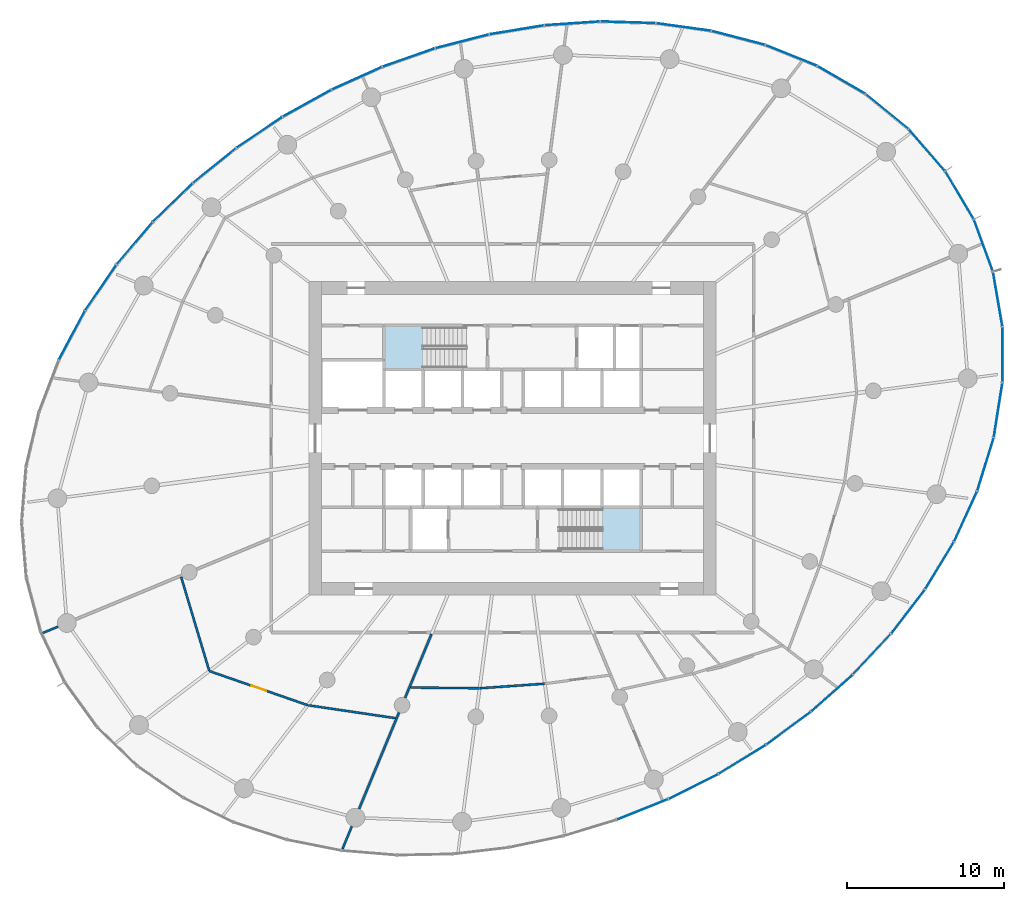
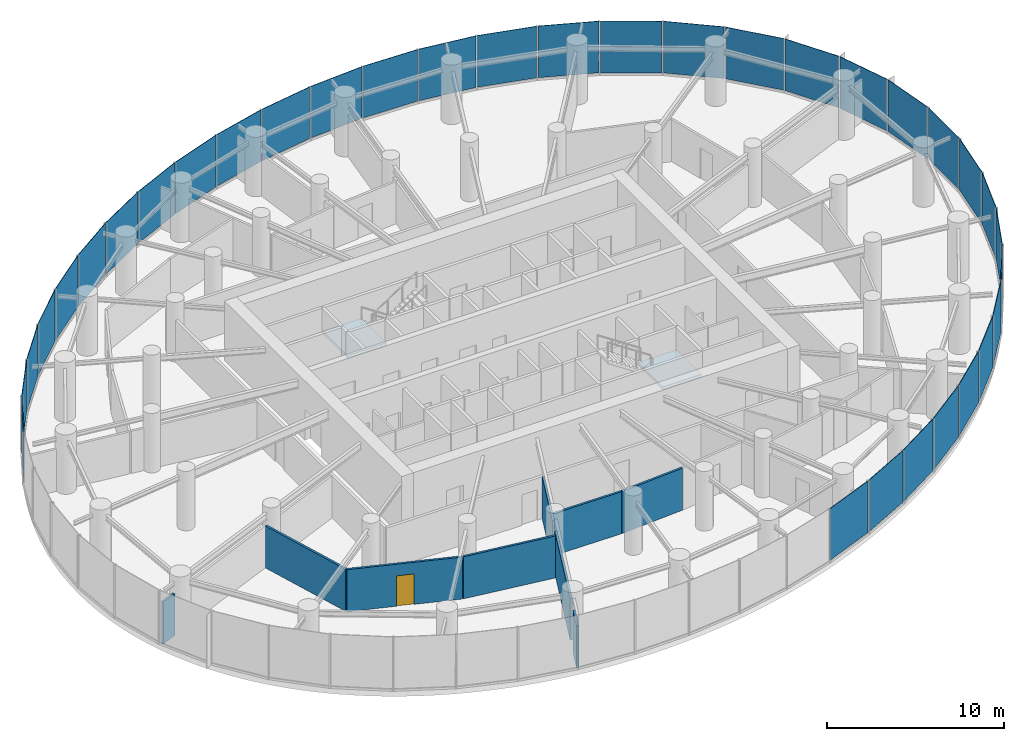
# One storey, part 9 of 17: 34 plates, 9 walls, 2 slabs, 1 door, 1 opening, 9 elements without a shape of their own.
"""IFC4 building model written with IfcOpenShell, lengths in metres."""

from ifc_helpers import new_model, si_unit, direction, frame, frame_2d, origin, origin_2d, place, context, subcontext, project, spatial, line, indexed_curve, rectangle, outline, extrude, source, transform, mapped, material, layer, layer_set, type_object, element, fill, aggregate, save


model = new_model("IFC4")

# Units and contexts
model_context = context("Model", 3, precision=1e-05, world=origin(), true_north=direction((0.0, 1.0)))
body_context = subcontext(model_context, "Body", "Model", "MODEL_VIEW")
ifc_project = project(units=[si_unit("LENGTHUNIT", "METRE"), si_unit("AREAUNIT", "SQUARE_METRE"), si_unit("VOLUMEUNIT", "CUBIC_METRE"), si_unit("PLANEANGLEUNIT", "RADIAN"), si_unit("MASSUNIT", "GRAM", prefix="KILO")], contexts=[model_context])

# Site, building, storey
site_placement = place(None, origin())
site = spatial("IfcSite", under=ifc_project, at=site_placement, CompositionType="ELEMENT")
building_placement = place(site_placement, origin())
building = spatial("IfcBuilding", under=site, at=building_placement, Name="Spindrift Exchange Tower", CompositionType="ELEMENT")
storey_placement = place(building_placement, frame((0.0, 0.0, 96.199951171875)))
storey = spatial("IfcBuildingStorey", under=building, at=storey_placement, Name="L22", CompositionType="ELEMENT", Elevation=96.199951171875)

# Stair, slab
ifc_material_1 = material(Name="Concrete 50 MPa", Category="concrete")
stair_type = type_object("IfcStairType", Name="ST-1250-R186", PredefinedType="HALF_TURN_STAIR", material=ifc_material_1)
stair_1_placement = place(storey_placement, origin())
stair_1 = element("IfcStair", 1, at=stair_1_placement, inside=storey, type_object=stair_type, Name="L22 Exit stair ST1", PredefinedType="HALF_TURN_STAIR")
ifc_layer_1 = layer(ifc_material_1, 0.199951171875)
ifc_layer_set_1 = layer_set([ifc_layer_1], Name="SL-LANDING")
slab_type = type_object("IfcSlabType", Name="SL-LANDING", PredefinedType="LANDING", material=ifc_layer_set_1)
slab_1_placement = place(storey_placement, frame((0.0, 0.0, 1.85009765625)))
slab_1 = element("IfcSlab", 2, at=slab_1_placement, type_object=slab_type, Name="ST1 landing 1", PredefinedType="LANDING", context=body_context, shape_type="SweptSolid", body=[
    extrude(outline(indexed_curve([(46.330078125, 52.39990234375), (43.800048828125, 52.39990234375), (43.800048828125, 55.199951171875), (46.330078125, 55.199951171875)], segments=[line(1, 2, 3, 4, 1)], self_intersect=False)), origin(), (0.0, 0.0, 1.0), 0.199951171875),
])
aggregate(stair_1, [slab_1])

stair_2_placement = place(storey_placement, origin())
stair_2 = element("IfcStair", 3, at=stair_2_placement, inside=storey, type_object=stair_type, Name="L22 Exit stair ST2", PredefinedType="HALF_TURN_STAIR")
slab_2_placement = place(storey_placement, frame((0.0, 0.0, 1.85009765625)))
slab_2 = element("IfcSlab", 4, at=slab_2_placement, type_object=slab_type, Name="ST2 landing 1", PredefinedType="LANDING", context=body_context, shape_type="SweptSolid", body=[
    extrude(outline(indexed_curve([(57.669921875, 43.60009765625), (60.199951171875, 43.60009765625), (60.199951171875, 40.800048828125), (57.669921875, 40.800048828125)], segments=[line(1, 2, 3, 4, 1)], self_intersect=False)), origin(), (0.0, 0.0, 1.0), 0.199951171875),
])
aggregate(stair_2, [slab_2])

# Curtain wall, plate
ifc_material_2 = material(Name="Fritted laminated glass with bronze frame", Category="glass")
ifc_layer_2 = layer(ifc_material_2, 0.18994140625)
ifc_layer_set_2 = layer_set([ifc_layer_2], Name="ZONE 2 BRONZE FRITTED WALL")
curtain_wall_type = type_object("IfcCurtainWallType", Name="ZONE 2 BRONZE FRITTED WALL", PredefinedType="NOTDEFINED", material=ifc_layer_set_2)
curtain_wall_1_placement = place(storey_placement, origin())
curtain_wall_1 = element("IfcCurtainWall", 5, at=curtain_wall_1_placement, inside=storey, type_object=curtain_wall_type, Name="L22 Zone 2 Bronze Fritted Wall run 2", PredefinedType="NOTDEFINED")
ifc_material_3 = material(Name="Bronze fritted laminated glass, close frit", Category="glass")
ifc_layer_3 = layer(ifc_material_3, 0.033935546875)
ifc_layer_set_3 = layer_set([ifc_layer_3], Name="ZONE 2 BRONZE FRITTED WALL PANEL CLOSE FRIT 420")
plate_type_1 = type_object("IfcPlateType", Name="ZONE 2 BRONZE FRITTED WALL PANEL CLOSE FRIT 420", PredefinedType="CURTAIN_PANEL", material=ifc_layer_set_3)
shared_shape_1 = source(origin(), body_context, "Body", "SweptSolid", [
    extrude(rectangle(XDim=3.491455078125, YDim=0.033935546875, at=origin_2d()), origin(), (0.0, 0.0, 1.0), 3.56005859375),
])
plate_1_placement = place(storey_placement, frame((55.810302734375, 74.48974609375, 0.14013671875), z_axis=(0.0, 0.0, 1.0), x_axis=(-0.997622139235, -0.068920732059, 0.0)))
plate_1 = element("IfcPlate", 6, at=plate_1_placement, type_object=plate_type_1, Name="L22 panel CW-2.9", PredefinedType="CURTAIN_PANEL", context=body_context, shape_type="MappedRepresentation", body=[
    mapped(shared_shape_1, transform((0.0, 0.0, 0.0), scale=1.0)),
])

curtain_wall_2_placement = place(storey_placement, origin())
curtain_wall_2 = element("IfcCurtainWall", 7, at=curtain_wall_2_placement, inside=storey, type_object=curtain_wall_type, Name="L22 Zone 2 Bronze Fritted Wall run 3", PredefinedType="NOTDEFINED")
plate_2_placement = place(storey_placement, frame((30.30712890625, 63.05322265625, 0.14013671875), z_axis=(0.0, 0.0, 1.0), x_axis=(-0.717488332978, -0.696570521943, 0.0)))
plate_2 = element("IfcPlate", 8, at=plate_2_placement, type_object=plate_type_1, Name="L22 panel CW-2.17", PredefinedType="CURTAIN_PANEL", context=body_context, shape_type="MappedRepresentation", body=[
    mapped(shared_shape_1, transform((0.0, 0.0, 0.0), scale=1.0)),
])

curtain_wall_3_placement = place(storey_placement, origin())
curtain_wall_3 = element("IfcCurtainWall", 9, at=curtain_wall_3_placement, inside=storey, type_object=curtain_wall_type, Name="L22 Zone 2 Bronze Fritted Wall run 8", PredefinedType="NOTDEFINED")
plate_3_placement = place(storey_placement, frame((74.94091796875, 34.21826171875, 0.14013671875), z_axis=(0.0, 0.0, 1.0), x_axis=(0.683667455732, 0.729793676303, 0.0)))
plate_3 = element("IfcPlate", 10, at=plate_3_placement, type_object=plate_type_1, Name="L22 panel CW-2.43", PredefinedType="CURTAIN_PANEL", context=body_context, shape_type="MappedRepresentation", body=[
    mapped(shared_shape_1, transform((0.0, 0.0, 0.0), scale=1.0)),
])

# Plate
ifc_layer_4 = layer(ifc_material_3, 0.033935546875)
ifc_layer_set_4 = layer_set([ifc_layer_4], Name="ZONE 2 BRONZE FRITTED WALL PANEL CLOSE FRIT 300")
plate_type_2 = type_object("IfcPlateType", Name="ZONE 2 BRONZE FRITTED WALL PANEL CLOSE FRIT 300", PredefinedType="CURTAIN_PANEL", material=ifc_layer_set_4)
shared_shape_2 = source(origin(), body_context, "Body", "SweptSolid", [
    extrude(rectangle(XDim=3.491455078125, YDim=0.033935546875, at=origin_2d()), origin(), (0.0, 0.0, 1.0), 3.56005859375),
])
plate_4_placement = place(storey_placement, frame((52.271484375, 74.07861328125, 0.14013671875), z_axis=(0.0, 0.0, 1.0), x_axis=(-0.98683511861, -0.161729554126, 0.0)))
plate_4 = element("IfcPlate", 11, at=plate_4_placement, type_object=plate_type_2, Name="L22 panel CW-2.10", PredefinedType="CURTAIN_PANEL", context=body_context, shape_type="MappedRepresentation", body=[
    mapped(shared_shape_2, transform((0.0, 0.0, 0.0), scale=1.0)),
])

# Curtain wall, plate
curtain_wall_4_placement = place(storey_placement, origin())
curtain_wall_4 = element("IfcCurtainWall", 12, at=curtain_wall_4_placement, inside=storey, type_object=curtain_wall_type, Name="L22 Zone 2 Bronze Fritted Wall run 7", PredefinedType="NOTDEFINED")
plate_5_placement = place(storey_placement, frame((72.386474609375, 31.73486328125, 0.14013671875), z_axis=(0.0, 0.0, 1.0), x_axis=(0.748821552583, 0.662771666857, 0.0)))
plate_5 = element("IfcPlate", 13, at=plate_5_placement, type_object=plate_type_2, Name="L22 panel CW-2.42", PredefinedType="CURTAIN_PANEL", context=body_context, shape_type="MappedRepresentation", body=[
    mapped(shared_shape_2, transform((0.0, 0.0, 0.0), scale=1.0)),
])

# Plate
shared_shape_3 = source(origin(), body_context, "Body", "SweptSolid", [
    extrude(rectangle(XDim=3.49169921875, YDim=0.033935546875, at=origin_2d()), origin(), (0.0, 0.0, 1.0), 3.56005859375),
])
plate_6_placement = place(storey_placement, frame((42.065673828125, 70.9892578125, 0.14013671875), z_axis=(0.0, 0.0, 1.0), x_axis=(-0.912093642596, -0.409981935134, 0.0)))
plate_6 = element("IfcPlate", 14, at=plate_6_placement, type_object=plate_type_1, Name="L22 panel CW-2.13", PredefinedType="CURTAIN_PANEL", context=body_context, shape_type="MappedRepresentation", body=[
    mapped(shared_shape_3, transform((0.0, 0.0, 0.0), scale=1.0)),
])

plate_7_placement = place(storey_placement, frame((38.8798828125, 69.392578125, 0.14013671875), z_axis=(0.0, 0.0, 1.0), x_axis=(-0.874329320157, -0.485333122622, 0.0)))
plate_7 = element("IfcPlate", 15, at=plate_7_placement, type_object=plate_type_1, Name="L22 panel CW-2.14", PredefinedType="CURTAIN_PANEL", context=body_context, shape_type="MappedRepresentation", body=[
    mapped(shared_shape_3, transform((0.0, 0.0, 0.0), scale=1.0)),
])

plate_8_placement = place(storey_placement, frame((35.8408203125, 67.531982421875, 0.14013671875), z_axis=(0.0, 0.0, 1.0), x_axis=(-0.829808779069, -0.558047838613, 0.0)))
plate_8 = element("IfcPlate", 16, at=plate_8_placement, type_object=plate_type_1, Name="L22 panel CW-2.15", PredefinedType="CURTAIN_PANEL", context=body_context, shape_type="MappedRepresentation", body=[
    mapped(shared_shape_3, transform((0.0, 0.0, 0.0), scale=1.0)),
])

shared_shape_4 = source(origin(), body_context, "Body", "SweptSolid", [
    extrude(rectangle(XDim=3.49169921875, YDim=0.033935546875, at=origin_2d()), origin(), (0.0, 0.0, 1.0), 3.56005859375),
])
plate_9_placement = place(storey_placement, frame((45.374755859375, 72.311279296875, 0.14013671875), z_axis=(0.0, 0.0, 1.0), x_axis=(-0.943498284151, -0.331377409917, 0.0)))
plate_9 = element("IfcPlate", 17, at=plate_9_placement, type_object=plate_type_2, Name="L22 panel CW-2.12", PredefinedType="CURTAIN_PANEL", context=body_context, shape_type="MappedRepresentation", body=[
    mapped(shared_shape_4, transform((0.0, 0.0, 0.0), scale=1.0)),
])

plate_10_placement = place(storey_placement, frame((63.544189453125, 25.775390625, 0.14013671875), z_axis=(0.0, 0.0, 1.0), x_axis=(0.894028382127, 0.448010325719, 0.0)))
plate_10 = element("IfcPlate", 18, at=plate_10_placement, type_object=plate_type_2, Name="L22 panel CW-2.39", PredefinedType="CURTAIN_PANEL", context=body_context, shape_type="MappedRepresentation", body=[
    mapped(shared_shape_4, transform((0.0, 0.0, 0.0), scale=1.0)),
])

plate_11_placement = place(storey_placement, frame((66.65966796875, 27.50537109375, 0.14013671875), z_axis=(0.0, 0.0, 1.0), x_axis=(0.852947337944, 0.52199697192, 0.0)))
plate_11 = element("IfcPlate", 19, at=plate_11_placement, type_object=plate_type_2, Name="L22 panel CW-2.40", PredefinedType="CURTAIN_PANEL", context=body_context, shape_type="MappedRepresentation", body=[
    mapped(shared_shape_4, transform((0.0, 0.0, 0.0), scale=1.0)),
])

plate_12_placement = place(storey_placement, frame((69.615966796875, 29.49462890625, 0.14013671875), z_axis=(0.0, 0.0, 1.0), x_axis=(0.804828542676, 0.593507385712, 0.0)))
plate_12 = element("IfcPlate", 20, at=plate_12_placement, type_object=plate_type_2, Name="L22 panel CW-2.41", PredefinedType="CURTAIN_PANEL", context=body_context, shape_type="MappedRepresentation", body=[
    mapped(shared_shape_4, transform((0.0, 0.0, 0.0), scale=1.0)),
])

ifc_layer_5 = layer(ifc_material_3, 0.033935546875)
ifc_layer_set_5 = layer_set([ifc_layer_5], Name="ZONE 2 BRONZE FRITTED WALL PANEL CLOSE FRIT 540")
plate_type_3 = type_object("IfcPlateType", Name="ZONE 2 BRONZE FRITTED WALL PANEL CLOSE FRIT 540", PredefinedType="CURTAIN_PANEL", material=ifc_layer_set_5)
shared_shape_5 = source(origin(), body_context, "Body", "SweptSolid", [
    extrude(rectangle(XDim=3.49169921875, YDim=0.033935546875, at=origin_2d()), origin(), (0.0, 0.0, 1.0), 3.56005859375),
])
plate_13_placement = place(storey_placement, frame((48.784423828125, 73.34619140625, 0.14013671875), z_axis=(0.0, 0.0, 1.0), x_axis=(-0.968524972511, -0.248916406896, 0.0)))
plate_13 = element("IfcPlate", 21, at=plate_13_placement, type_object=plate_type_3, Name="L22 panel CW-2.11", PredefinedType="CURTAIN_PANEL", context=body_context, shape_type="MappedRepresentation", body=[
    mapped(shared_shape_5, transform((0.0, 0.0, 0.0), scale=1.0)),
])

plate_14_placement = place(storey_placement, frame((60.293701171875, 24.314697265625, 0.14013671875), z_axis=(0.0, 0.0, 1.0), x_axis=(0.928583018933, 0.371124745805, 0.0)))
plate_14 = element("IfcPlate", 22, at=plate_14_placement, type_object=plate_type_3, Name="L22 panel CW-2.38", PredefinedType="CURTAIN_PANEL", context=body_context, shape_type="MappedRepresentation", body=[
    mapped(shared_shape_5, transform((0.0, 0.0, 0.0), scale=1.0)),
])

aggregate(curtain_wall_4, [plate_14, plate_10, plate_11, plate_12, plate_5])

# Curtain wall, plate
curtain_wall_5_placement = place(storey_placement, origin())
curtain_wall_5 = element("IfcCurtainWall", 23, at=curtain_wall_5_placement, inside=storey, type_object=curtain_wall_type, Name="L22 Zone 2 Bronze Fritted Wall run 4", PredefinedType="NOTDEFINED")
shared_shape_6 = source(origin(), body_context, "Body", "SweptSolid", [
    extrude(rectangle(XDim=3.4912109375, YDim=0.033935546875, at=origin_2d()), origin(), (0.0, 0.0, 1.0), 3.56005859375),
])
plate_15_placement = place(storey_placement, frame((25.711669921875, 57.621826171875, 0.14013671875), z_axis=(0.0, 0.0, 1.0), x_axis=(-0.565299619381, -0.824885652881, 0.0)))
plate_15 = element("IfcPlate", 24, at=plate_15_placement, type_object=plate_type_2, Name="L22 panel CW-2.19", PredefinedType="CURTAIN_PANEL", context=body_context, shape_type="MappedRepresentation", body=[
    mapped(shared_shape_6, transform((0.0, 0.0, 0.0), scale=1.0)),
])

# Plate
shared_shape_7 = source(origin(), body_context, "Body", "SweptSolid", [
    extrude(rectangle(XDim=3.4912109375, YDim=0.033935546875, at=origin_2d()), origin(), (0.0, 0.0, 1.0), 3.56005859375),
])
plate_16_placement = place(storey_placement, frame((59.371337890625, 74.558349609375, 0.14013671875), z_axis=(0.0, 0.0, 1.0), x_axis=(-0.99953619887, 0.030453031853, 0.0)))
plate_16 = element("IfcPlate", 25, at=plate_16_placement, type_object=plate_type_3, Name="L22 panel CW-2.8", PredefinedType="CURTAIN_PANEL", context=body_context, shape_type="MappedRepresentation", body=[
    mapped(shared_shape_7, transform((0.0, 0.0, 0.0), scale=1.0)),
])

plate_17_placement = place(storey_placement, frame((27.87353515625, 60.451904296875, 0.14013671875), z_axis=(0.0, 0.0, 1.0), x_axis=(-0.647236920337, -0.762288901239, 0.0)))
plate_17 = element("IfcPlate", 26, at=plate_17_placement, type_object=plate_type_3, Name="L22 panel CW-2.18", PredefinedType="CURTAIN_PANEL", context=body_context, shape_type="MappedRepresentation", body=[
    mapped(shared_shape_7, transform((0.0, 0.0, 0.0), scale=1.0)),
])

plate_18_placement = place(storey_placement, frame((77.243896484375, 36.935302734375, 0.14013671875), z_axis=(0.0, 0.0, 1.0), x_axis=(0.607854077287, 0.794048752109, 0.0)))
plate_18 = element("IfcPlate", 27, at=plate_18_placement, type_object=plate_type_3, Name="L22 panel CW-2.44", PredefinedType="CURTAIN_PANEL", context=body_context, shape_type="MappedRepresentation", body=[
    mapped(shared_shape_7, transform((0.0, 0.0, 0.0), scale=1.0)),
])

# Curtain wall, plate
curtain_wall_6_placement = place(storey_placement, origin())
curtain_wall_6 = element("IfcCurtainWall", 28, at=curtain_wall_6_placement, inside=storey, type_object=curtain_wall_type, Name="L22 Zone 2 Bronze Fritted Wall run 1", PredefinedType="NOTDEFINED")
shared_shape_8 = source(origin(), body_context, "Body", "SweptSolid", [
    extrude(rectangle(XDim=3.48779296875, YDim=0.033935546875, at=origin_2d()), origin(), (0.0, 0.0, 1.0), 3.56005859375),
])
plate_19_placement = place(storey_placement, frame((80.534912109375, 63.51904296875, 0.14013671875), z_axis=(0.0, 0.0, 1.0), x_axis=(-0.510386834068, 0.859944928242, 0.0)))
plate_19 = element("IfcPlate", 29, at=plate_19_placement, type_object=plate_type_2, Name="L22 panel CW-2.1", PredefinedType="CURTAIN_PANEL", context=body_context, shape_type="MappedRepresentation", body=[
    mapped(shared_shape_8, transform((0.0, 0.0, 0.0), scale=1.0)),
])

curtain_wall_7_placement = place(storey_placement, origin())
curtain_wall_7 = element("IfcCurtainWall", 30, at=curtain_wall_7_placement, inside=storey, type_object=curtain_wall_type, Name="L22 Zone 2 Bronze Fritted Wall run 9", PredefinedType="NOTDEFINED")
plate_20_placement = place(storey_placement, frame((82.05712890625, 60.314697265625, 0.14013671875), z_axis=(0.0, 0.0, 1.0), x_axis=(-0.344121859027, 0.938924994949, 0.0)))
plate_20 = element("IfcPlate", 31, at=plate_20_placement, type_object=plate_type_2, Name="L22 panel CW-2.51", PredefinedType="CURTAIN_PANEL", context=body_context, shape_type="MappedRepresentation", body=[
    mapped(shared_shape_8, transform((0.0, 0.0, 0.0), scale=1.0)),
])

# Plate
shared_shape_9 = source(origin(), body_context, "Body", "SweptSolid", [
    extrude(rectangle(XDim=3.488037109375, YDim=0.033935546875, at=origin_2d()), origin(), (0.0, 0.0, 1.0), 3.56005859375),
])
plate_21_placement = place(storey_placement, frame((78.455810546875, 66.394775390625, 0.14013671875), z_axis=(0.0, 0.0, 1.0), x_axis=(-0.656614716443, 0.754226169097, 0.0)))
plate_21 = element("IfcPlate", 32, at=plate_21_placement, type_object=plate_type_2, Name="L22 panel CW-2.2", PredefinedType="CURTAIN_PANEL", context=body_context, shape_type="MappedRepresentation", body=[
    mapped(shared_shape_9, transform((0.0, 0.0, 0.0), scale=1.0)),
])

shared_shape_10 = source(origin(), body_context, "Body", "SweptSolid", [
    extrude(rectangle(XDim=3.48876953125, YDim=0.033935546875, at=origin_2d()), origin(), (0.0, 0.0, 1.0), 3.56005859375),
])
plate_22_placement = place(storey_placement, frame((75.90478515625, 68.864013671875, 0.14013671875), z_axis=(0.0, 0.0, 1.0), x_axis=(-0.775233419671, 0.631674872877, 0.0)))
plate_22 = element("IfcPlate", 33, at=plate_22_placement, type_object=plate_type_1, Name="L22 panel CW-2.3", PredefinedType="CURTAIN_PANEL", context=body_context, shape_type="MappedRepresentation", body=[
    mapped(shared_shape_10, transform((0.0, 0.0, 0.0), scale=1.0)),
])

shared_shape_11 = source(origin(), body_context, "Body", "SweptSolid", [
    extrude(rectangle(XDim=3.489990234375, YDim=0.033935546875, at=origin_2d()), origin(), (0.0, 0.0, 1.0), 3.56005859375),
])
plate_23_placement = place(storey_placement, frame((69.788818359375, 72.447998046875, 0.14013671875), z_axis=(0.0, 0.0, 1.0), x_axis=(-0.927247261028, 0.374449618661, 0.0)))
plate_23 = element("IfcPlate", 34, at=plate_23_placement, type_object=plate_type_3, Name="L22 panel CW-2.5", PredefinedType="CURTAIN_PANEL", context=body_context, shape_type="MappedRepresentation", body=[
    mapped(shared_shape_11, transform((0.0, 0.0, 0.0), scale=1.0)),
])

shared_shape_12 = source(origin(), body_context, "Body", "SweptSolid", [
    extrude(rectangle(XDim=3.491455078125, YDim=0.033935546875, at=origin_2d()), origin(), (0.0, 0.0, 1.0), 3.56005859375),
])
plate_24_placement = place(storey_placement, frame((32.973876953125, 65.416015625, 0.14013671875), z_axis=(0.0, 0.0, 1.0), x_axis=(-0.777870370744, -0.628424765838, 0.0)))
plate_24 = element("IfcPlate", 35, at=plate_24_placement, type_object=plate_type_3, Name="L22 panel CW-2.16", PredefinedType="CURTAIN_PANEL", context=body_context, shape_type="MappedRepresentation", body=[
    mapped(shared_shape_12, transform((0.0, 0.0, 0.0), scale=1.0)),
])

aggregate(curtain_wall_2, [plate_6, plate_7, plate_8, plate_24, plate_2, plate_17])

shared_shape_13 = source(origin(), body_context, "Body", "SweptSolid", [
    extrude(rectangle(XDim=3.49072265625, YDim=0.033935546875, at=origin_2d()), origin(), (0.0, 0.0, 1.0), 3.56005859375),
])
plate_25_placement = place(storey_placement, frame((23.8662109375, 54.576904296875, 0.14013671875), z_axis=(0.0, 0.0, 1.0), x_axis=(-0.469664180894, -0.882845149041, 0.0)))
plate_25 = element("IfcPlate", 36, at=plate_25_placement, type_object=plate_type_2, Name="L22 panel CW-2.20", PredefinedType="CURTAIN_PANEL", context=body_context, shape_type="MappedRepresentation", body=[
    mapped(shared_shape_13, transform((0.0, 0.0, 0.0), scale=1.0)),
])

aggregate(curtain_wall_5, [plate_15, plate_25])

shared_shape_14 = source(origin(), body_context, "Body", "SweptSolid", [
    extrude(rectangle(XDim=3.490478515625, YDim=0.033935546875, at=origin_2d()), origin(), (0.0, 0.0, 1.0), 3.56005859375),
])
plate_26_placement = place(storey_placement, frame((80.92138671875, 43.019775390625, 0.14013671875), z_axis=(0.0, 0.0, 1.0), x_axis=(0.415958622115, 0.909383541026, 0.0)))
plate_26 = element("IfcPlate", 37, at=plate_26_placement, type_object=plate_type_1, Name="L22 panel CW-2.46", PredefinedType="CURTAIN_PANEL", context=body_context, shape_type="MappedRepresentation", body=[
    mapped(shared_shape_14, transform((0.0, 0.0, 0.0), scale=1.0)),
])

shared_shape_15 = source(origin(), body_context, "Body", "SweptSolid", [
    extrude(rectangle(XDim=3.489990234375, YDim=0.033935546875, at=origin_2d()), origin(), (0.0, 0.0, 1.0), 3.56005859375),
])
plate_27_placement = place(storey_placement, frame((82.189697265625, 46.34375, 0.14013671875), z_axis=(0.0, 0.0, 1.0), x_axis=(0.295511305292, 0.955339242596, 0.0)))
plate_27 = element("IfcPlate", 38, at=plate_27_placement, type_object=plate_type_1, Name="L22 panel CW-2.47", PredefinedType="CURTAIN_PANEL", context=body_context, shape_type="MappedRepresentation", body=[
    mapped(shared_shape_15, transform((0.0, 0.0, 0.0), scale=1.0)),
])

shared_shape_16 = source(origin(), body_context, "Body", "SweptSolid", [
    extrude(rectangle(XDim=3.489501953125, YDim=0.033935546875, at=origin_2d()), origin(), (0.0, 0.0, 1.0), 3.56005859375),
])
plate_28_placement = place(storey_placement, frame((72.982666015625, 70.885009765625, 0.14013671875), z_axis=(0.0, 0.0, 1.0), x_axis=(-0.864566131404, 0.502519058772, 0.0)))
plate_28 = element("IfcPlate", 39, at=plate_28_placement, type_object=plate_type_2, Name="L22 panel CW-2.4", PredefinedType="CURTAIN_PANEL", context=body_context, shape_type="MappedRepresentation", body=[
    mapped(shared_shape_16, transform((0.0, 0.0, 0.0), scale=1.0)),
])

plate_29_placement = place(storey_placement, frame((82.99560546875, 49.806884765625, 0.14013671875), z_axis=(0.0, 0.0, 1.0), x_axis=(0.156687864568, 0.98764817273, 0.0)))
plate_29 = element("IfcPlate", 40, at=plate_29_placement, type_object=plate_type_2, Name="L22 panel CW-2.48", PredefinedType="CURTAIN_PANEL", context=body_context, shape_type="MappedRepresentation", body=[
    mapped(shared_shape_16, transform((0.0, 0.0, 0.0), scale=1.0)),
])

shared_shape_17 = source(origin(), body_context, "Body", "SweptSolid", [
    extrude(rectangle(XDim=3.490966796875, YDim=0.033935546875, at=origin_2d()), origin(), (0.0, 0.0, 1.0), 3.56005859375),
])
plate_30_placement = place(storey_placement, frame((79.25390625, 39.874755859375, 0.14013671875), z_axis=(0.0, 0.0, 1.0), x_axis=(0.519358040956, 0.854556741998, 0.0)))
plate_30 = element("IfcPlate", 41, at=plate_30_placement, type_object=plate_type_3, Name="L22 panel CW-2.45", PredefinedType="CURTAIN_PANEL", context=body_context, shape_type="MappedRepresentation", body=[
    mapped(shared_shape_17, transform((0.0, 0.0, 0.0), scale=1.0)),
])

aggregate(curtain_wall_3, [plate_3, plate_18, plate_30, plate_26, plate_27, plate_29])

shared_shape_18 = source(origin(), body_context, "Body", "SweptSolid", [
    extrude(rectangle(XDim=3.48876953125, YDim=0.033935546875, at=origin_2d()), origin(), (0.0, 0.0, 1.0), 3.56005859375),
])
plate_31_placement = place(storey_placement, frame((83.275146484375, 53.34912109375, 0.14013671875), z_axis=(0.0, 0.0, 1.0), x_axis=(0.000111701072, 0.999999993761, 0.0)))
plate_31 = element("IfcPlate", 42, at=plate_31_placement, type_object=plate_type_2, Name="L22 panel CW-2.49", PredefinedType="CURTAIN_PANEL", context=body_context, shape_type="MappedRepresentation", body=[
    mapped(shared_shape_18, transform((0.0, 0.0, 0.0), scale=1.0)),
])

shared_shape_19 = source(origin(), body_context, "Body", "SweptSolid", [
    extrude(rectangle(XDim=3.490478515625, YDim=0.033935546875, at=origin_2d()), origin(), (0.0, 0.0, 1.0), 3.56005859375),
])
plate_32_placement = place(storey_placement, frame((66.410888671875, 73.56494140625, 0.14013671875), z_axis=(0.0, 0.0, 1.0), x_axis=(-0.967699931007, 0.252104826467, 0.0)))
plate_32 = element("IfcPlate", 43, at=plate_32_placement, type_object=plate_type_3, Name="L22 panel CW-2.6", PredefinedType="CURTAIN_PANEL", context=body_context, shape_type="MappedRepresentation", body=[
    mapped(shared_shape_19, transform((0.0, 0.0, 0.0), scale=1.0)),
])

aggregate(curtain_wall_6, [plate_19, plate_21, plate_22, plate_28, plate_23, plate_32])

shared_shape_20 = source(origin(), body_context, "Body", "SweptSolid", [
    extrude(rectangle(XDim=3.490966796875, YDim=0.033935546875, at=origin_2d()), origin(), (0.0, 0.0, 1.0), 3.56005859375),
])
plate_33_placement = place(storey_placement, frame((62.919677734375, 74.25927734375, 0.14013671875), z_axis=(0.0, 0.0, 1.0), x_axis=(-0.990529363382, 0.137301057089, 0.0)))
plate_33 = element("IfcPlate", 44, at=plate_33_placement, type_object=plate_type_1, Name="L22 panel CW-2.7", PredefinedType="CURTAIN_PANEL", context=body_context, shape_type="MappedRepresentation", body=[
    mapped(shared_shape_20, transform((0.0, 0.0, 0.0), scale=1.0)),
])

aggregate(curtain_wall_1, [plate_33, plate_16, plate_1, plate_4, plate_13, plate_9])

shared_shape_21 = source(origin(), body_context, "Body", "SweptSolid", [
    extrude(rectangle(XDim=3.488037109375, YDim=0.033935546875, at=origin_2d()), origin(), (0.0, 0.0, 1.0), 3.56005859375),
])
plate_34_placement = place(storey_placement, frame((82.97265625, 56.886474609375, 0.14013671875), z_axis=(0.0, 0.0, 1.0), x_axis=(-0.169853476791, 0.985469327997, 0.0)))
plate_34 = element("IfcPlate", 45, at=plate_34_placement, type_object=plate_type_1, Name="L22 panel CW-2.50", PredefinedType="CURTAIN_PANEL", context=body_context, shape_type="MappedRepresentation", body=[
    mapped(shared_shape_21, transform((0.0, 0.0, 0.0), scale=1.0)),
])

aggregate(curtain_wall_7, [plate_31, plate_34, plate_20])

# Wall
ifc_material_4 = material(Name="Fire-rated plasterboard partition", Category="gypsum")
ifc_layer_6 = layer(ifc_material_4, 0.139892578125)
ifc_layer_set_6 = layer_set([ifc_layer_6], Name="W-PLANT-140")
wall_type = type_object("IfcWallType", Name="W-PLANT-140", PredefinedType="PARTITIONING", material=ifc_layer_set_6)
wall_1_placement = place(storey_placement, frame((42.202392578125, 24.3466796875, 0.0), z_axis=(0.0, 0.0, 1.0), x_axis=(0.382696989205, 0.923873916968, 0.0)))
element("IfcWall", 46, at=wall_1_placement, inside=storey, type_object=wall_type, Name="L22 Partition wall 68", PredefinedType="PARTITIONING", context=body_context, shape_type="SweptSolid", body=[
    extrude(rectangle(XDim=6.662841796875, YDim=0.139892578125, at=frame_2d((3.33154296875, 0.0))), origin(), (0.0, 0.0, 1.0), 2.900146484375),
])

# Wall, opening, door
wall_2_placement = place(storey_placement, frame((38.928466796875, 30.96484375, 0.0), z_axis=(0.0, 0.0, 1.0), x_axis=(-0.944752901996, 0.327783395201, 0.0)))
wall_2 = element("IfcWall", 47, at=wall_2_placement, inside=storey, type_object=wall_type, Name="L22 Partition wall 69", PredefinedType="PARTITIONING", context=body_context, shape_type="SweptSolid", body=[
    extrude(rectangle(XDim=6.654296875, YDim=0.139892578125, at=frame_2d((3.3271484375, 0.0))), origin(), (0.0, 0.0, 1.0), 2.900146484375),
])
opening_placement = place(wall_2_placement, frame((2.80419921875, 0.0, 0.0)))
opening = element("IfcOpeningElement", 48, at=opening_placement, cuts=wall_2, Name="Opening L22-D40", PredefinedType="OPENING", context=body_context, shape_type="SweptSolid", body=[
    extrude(rectangle(XDim=1.0, YDim=2.10009765625, at=frame_2d((0.5, 1.050048828125))), frame((0.0, 0.079833984375, 0.0), z_axis=(0.0, -1.0, 0.0), x_axis=(1.0, 0.0, 0.0)), (0.0, 0.0, 1.0), 0.159912109375),
])
ifc_material_5 = material(Name="Timber-core fire door", Category="wood")
door_type = type_object("IfcDoorType", Name="DR-ROOM-1000", OperationType="NOTDEFINED", PredefinedType="DOOR", material=ifc_material_5)
shared_shape_22 = source(origin(), body_context, "Body", "SweptSolid", [
    extrude(rectangle(XDim=1.0, YDim=2.10009765625, at=frame_2d((0.5, 1.050048828125))), frame((0.0, 0.02490234375, 0.0), z_axis=(0.0, -1.0, 0.0), x_axis=(1.0, 0.0, 0.0)), (0.0, 0.0, 1.0), 0.050048828125),
])
door_placement = place(opening_placement, origin())
door = element("IfcDoor", 49, at=door_placement, inside=storey, type_object=door_type, Name="L22 Door 40", OperationType="SINGLE_SWING_LEFT", OverallHeight=2.10009765625, OverallWidth=1.0, PredefinedType="DOOR", context=body_context, shape_type="MappedRepresentation", body=[
    mapped(shared_shape_22, transform((0.0, 0.0, 0.0), scale=1.0)),
])
fill(opening, door)

# Walls
wall_3_placement = place(storey_placement, frame((30.840576171875, 39.15966796875, 0.0), z_axis=(0.0, 0.0, 1.0), x_axis=(0.286946329696, -0.957946660245, 0.0)))
element("IfcWall", 50, at=wall_3_placement, inside=storey, type_object=wall_type, Name="L22 Partition wall 71", PredefinedType="PARTITIONING", context=body_context, shape_type="SweptSolid", body=[
    extrude(rectangle(XDim=6.24755859375, YDim=0.139892578125, at=frame_2d((3.123779296875, 0.0))), origin(), (0.0, 0.0, 1.0), 2.900146484375),
])
wall_4_placement = place(storey_placement, frame((38.958251953125, 30.96044921875, 0.0), z_axis=(0.0, 0.0, 1.0), x_axis=(0.989308018388, -0.145841162756, 0.0)))
element("IfcWall", 51, at=wall_4_placement, inside=storey, type_object=wall_type, Name="L22 Partition wall 81", PredefinedType="PARTITIONING", context=body_context, shape_type="SweptSolid", body=[
    extrude(rectangle(XDim=5.6279296875, YDim=0.139892578125, at=frame_2d((2.81396484375, 0.0))), origin(), (0.0, 0.0, 1.0), 2.900146484375),
])
wall_5_placement = place(storey_placement, frame((45.138671875, 31.435302734375, 0.0), z_axis=(0.0, 0.0, 1.0), x_axis=(0.382672831764, 0.923883923353, 0.0)))
element("IfcWall", 52, at=wall_5_placement, inside=storey, type_object=wall_type, Name="L22 Partition wall 91", PredefinedType="PARTITIONING", context=body_context, shape_type="SweptSolid", body=[
    extrude(rectangle(XDim=4.410400390625, YDim=0.139892578125, at=frame_2d((2.205078125, 0.0))), origin(), (0.0, 0.0, 1.0), 2.900146484375),
])
wall_6_placement = place(storey_placement, frame((45.4873046875, 32.093994140625, 0.0), z_axis=(0.0, 0.0, 1.0), x_axis=(0.999942985282, -0.010678304441, 0.0)))
element("IfcWall", 53, at=wall_6_placement, inside=storey, type_object=wall_type, Name="L22 Partition wall 92", PredefinedType="PARTITIONING", context=body_context, shape_type="SweptSolid", body=[
    extrude(rectangle(XDim=4.41259765625, YDim=0.139892578125, at=frame_2d((2.206298828125, 0.0))), origin(), (0.0, 0.0, 1.0), 2.900146484375),
])
wall_7_placement = place(storey_placement, frame((49.9296875, 32.048828125, 0.0), z_axis=(0.0, 0.0, 1.0), x_axis=(0.997534964588, 0.070171179441, 0.0)))
element("IfcWall", 54, at=wall_7_placement, inside=storey, type_object=wall_type, Name="L22 Partition wall 96", PredefinedType="PARTITIONING", context=body_context, shape_type="SweptSolid", body=[
    extrude(rectangle(XDim=4.112548828125, YDim=0.139892578125, at=frame_2d((2.05615234375, 0.0))), origin(), (0.0, 0.0, 1.0), 2.900146484375),
])
wall_8_placement = place(storey_placement, frame((41.739501953125, 23.22900390625, 0.0), z_axis=(0.0, 0.0, 1.0), x_axis=(-0.38270777603, -0.923869448659, 0.0)))
element("IfcWall", 55, at=wall_8_placement, inside=storey, type_object=wall_type, Name="L22 Partition wall 115", PredefinedType="PARTITIONING", context=body_context, shape_type="SweptSolid", body=[
    extrude(rectangle(XDim=1.5546875, YDim=0.139892578125, at=frame_2d((0.77734375, 0.0))), origin(), (0.0, 0.0, 1.0), 2.900146484375),
])
wall_9_placement = place(storey_placement, frame((22.985595703125, 35.981689453125, 0.0), z_axis=(0.0, 0.0, 1.0), x_axis=(-0.923912211219, -0.382604529457, 0.0)))
element("IfcWall", 56, at=wall_9_placement, inside=storey, type_object=wall_type, Name="L22 Partition wall 121", PredefinedType="PARTITIONING", context=body_context, shape_type="SweptSolid", body=[
    extrude(rectangle(XDim=1.05224609375, YDim=0.139892578125, at=frame_2d((0.526123046875, 0.0))), origin(), (0.0, 0.0, 1.0), 2.900146484375),
])

save(model, "model.ifc")
